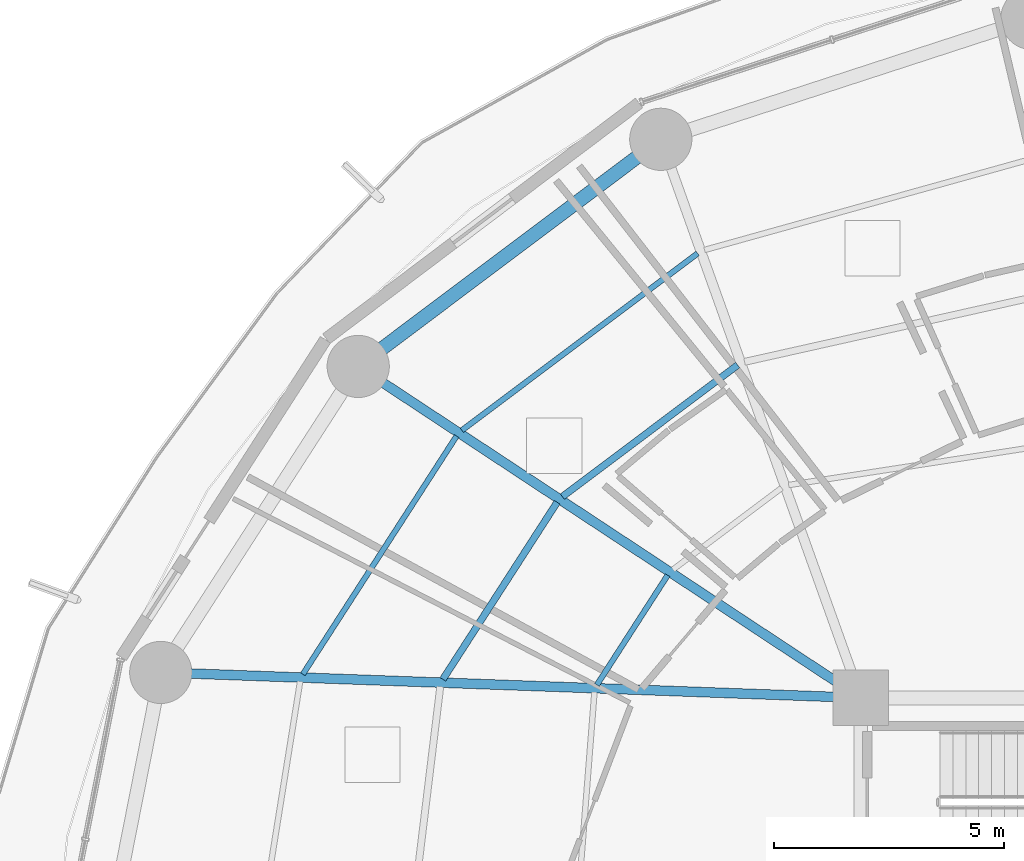
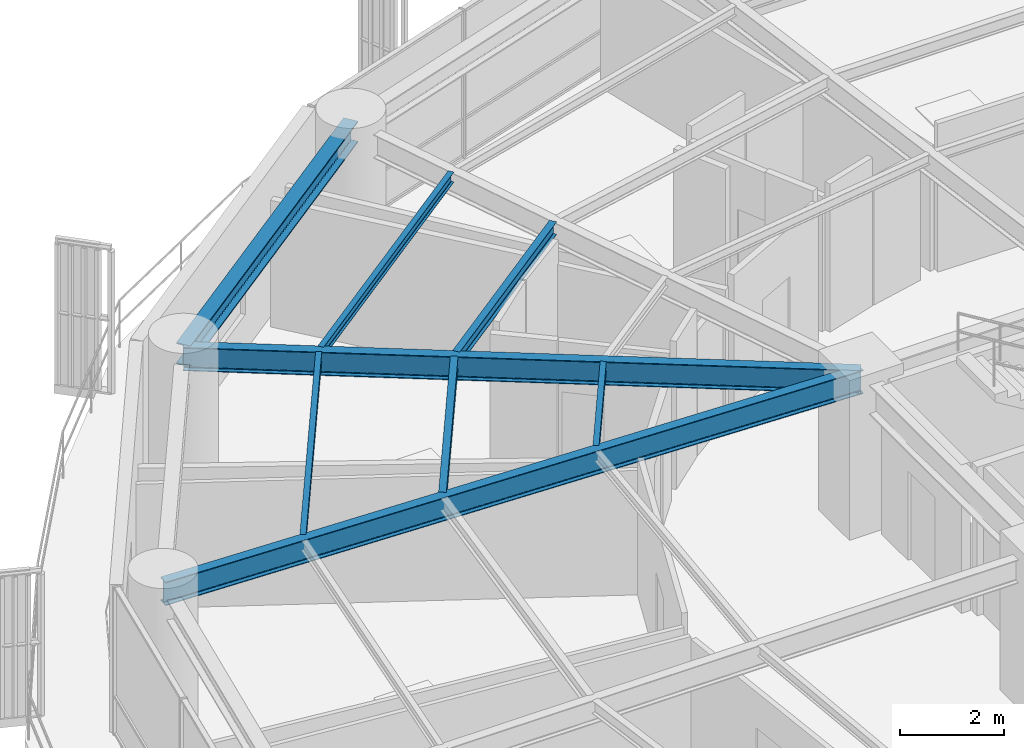
# One storey, part 19 of 36: 8 beams.
"""IFC4 building model written with IfcOpenShell, lengths in metres."""

from ifc_helpers import new_model, si_unit, direction, frame, origin, origin_2d, place, context, subcontext, project, spatial, i_section, extrude, material, material_profile, profile_set, type_object, element, save


model = new_model("IFC4")

# Units and contexts
model_context = context("Model", 3, precision=1e-05, world=origin(), true_north=direction((0.0, 1.0)))
body_context = subcontext(model_context, "Body", "Model", "MODEL_VIEW")
ifc_project = project(units=[si_unit("LENGTHUNIT", "METRE"), si_unit("AREAUNIT", "SQUARE_METRE"), si_unit("VOLUMEUNIT", "CUBIC_METRE"), si_unit("PLANEANGLEUNIT", "RADIAN"), si_unit("MASSUNIT", "GRAM", prefix="KILO")], contexts=[model_context])

# Site, building, storey
site_placement = place(None, origin())
site = spatial("IfcSite", under=ifc_project, at=site_placement, CompositionType="ELEMENT")
building_placement = place(site_placement, origin())
building = spatial("IfcBuilding", under=site, at=building_placement, Name="Kelanora Arch Commons", CompositionType="ELEMENT")
storey_placement = place(building_placement, frame((0.0, 0.0, 102.60009765625)))
storey = spatial("IfcBuildingStorey", under=building, at=storey_placement, Name="L26", CompositionType="ELEMENT", Elevation=102.60009765625)

# Beams
ifc_material = material(Name="Steel S355", Category="steel")
ifc_material_profile_1 = material_profile(ifc_material, i_section(OverallWidth=0.14990234375, OverallDepth=0.300048828125, WebThickness=0.007080078125, FlangeThickness=0.0107421875, FilletRadius=0.014892578125, at=origin_2d()), Name="IPE300")
ifc_profile_set_1 = profile_set([ifc_material_profile_1], Name="Steel S355")
beam_type_1 = type_object("IfcBeamType", Name="BM-JST-01", PredefinedType="JOIST", material=ifc_profile_set_1)
beam_1_placement = place(storey_placement, frame((63.327880859375, 72.22216796875, 3.33984375), z_axis=(-0.79971039107, -0.600385951214, 0.0), x_axis=(0.600385951214, -0.79971039107, 0.0)))
element("IfcBeam", 1, at=beam_1_placement, inside=storey, type_object=beam_type_1, Name="Secondary Chord Joist BJB-12 L26", PredefinedType="JOIST", context=body_context, shape_type="SweptSolid", body=[
    extrude(i_section(OverallWidth=0.14990234375, OverallDepth=0.300048828125, WebThickness=0.007080078125, FlangeThickness=0.0107421875, FilletRadius=0.014892578125, at=origin_2d()), origin(), (0.0, 0.0, 1.0), 4.756103515625),
])
beam_2_placement = place(storey_placement, frame((59.410400390625, 69.244384765625, 3.33984375), z_axis=(-0.542230243286, -0.840229946661, 0.0), x_axis=(0.840229946661, -0.542230243286, 0.0)))
element("IfcBeam", 2, at=beam_2_placement, inside=storey, type_object=beam_type_1, Name="Secondary Chord Joist BJB-14 L26", PredefinedType="JOIST", context=body_context, shape_type="SweptSolid", body=[
    extrude(i_section(OverallWidth=0.14990234375, OverallDepth=0.300048828125, WebThickness=0.007080078125, FlangeThickness=0.0107421875, FilletRadius=0.014892578125, at=origin_2d()), origin(), (0.0, 0.0, 1.0), 4.572265625),
])
ifc_material_profile_2 = material_profile(ifc_material, i_section(OverallWidth=0.1201171875, OverallDepth=0.239990234375, WebThickness=0.006103515625, FlangeThickness=0.009765625, FilletRadius=0.014892578125, at=origin_2d()), Name="IPE240")
ifc_profile_set_2 = profile_set([ifc_material_profile_2], Name="Steel S355")
beam_type_2 = type_object("IfcBeamType", Name="BM-JST-02", PredefinedType="JOIST", material=ifc_profile_set_2)
beam_3_placement = place(storey_placement, frame((62.4599609375, 74.646484375, 3.369873046875), z_axis=(-0.799734335646, -0.600354055861, 0.0), x_axis=(0.600354055861, -0.799734335646, 0.0)))
element("IfcBeam", 3, at=beam_3_placement, inside=storey, type_object=beam_type_2, Name="Secondary Chord Joist BJC-12 L26", PredefinedType="JOIST", context=body_context, shape_type="SweptSolid", body=[
    extrude(i_section(OverallWidth=0.1201171875, OverallDepth=0.239990234375, WebThickness=0.006103515625, FlangeThickness=0.009765625, FilletRadius=0.014892578125, at=origin_2d()), origin(), (0.0, 0.0, 1.0), 6.39794921875),
])
beam_4_placement = place(storey_placement, frame((61.8095703125, 67.661865234375, 3.369873046875), z_axis=(-0.542211255502, -0.840242199849, 0.0), x_axis=(0.840242199849, -0.542211255502, 0.0)))
element("IfcBeam", 4, at=beam_4_placement, inside=storey, type_object=beam_type_2, Name="Secondary Chord Joist BJA-14 L26", PredefinedType="JOIST", context=body_context, shape_type="SweptSolid", body=[
    extrude(i_section(OverallWidth=0.1201171875, OverallDepth=0.239990234375, WebThickness=0.006103515625, FlangeThickness=0.009765625, FilletRadius=0.014892578125, at=origin_2d()), origin(), (0.0, 0.0, 1.0), 2.83349609375),
])
beam_5_placement = place(storey_placement, frame((57.22900390625, 70.682861328125, 3.369873046875), z_axis=(-0.542212726273, -0.840241250754, 0.0), x_axis=(0.840241250754, -0.542212726273, 0.0)))
element("IfcBeam", 5, at=beam_5_placement, inside=storey, type_object=beam_type_2, Name="Secondary Chord Joist BJC-14 L26", PredefinedType="JOIST", context=body_context, shape_type="SweptSolid", body=[
    extrude(i_section(OverallWidth=0.1201171875, OverallDepth=0.239990234375, WebThickness=0.006103515625, FlangeThickness=0.009765625, FilletRadius=0.014892578125, at=origin_2d()), origin(), (0.0, 0.0, 1.0), 6.15283203125),
])
ifc_material_profile_3 = material_profile(ifc_material, i_section(OverallWidth=0.2099609375, OverallDepth=0.550048828125, WebThickness=0.010986328125, FlangeThickness=0.01708984375, FilletRadius=0.02392578125, at=origin_2d()), Name="IPE550")
ifc_profile_set_3 = profile_set([ifc_material_profile_3], Name="Steel S355")
beam_type_3 = type_object("IfcBeamType", Name="BM-RAD-Z2", PredefinedType="BEAM", material=ifc_profile_set_3)
beam_6_placement = place(storey_placement, frame((66.0, 65.0, 3.21484375), z_axis=(-0.834788577908, 0.550570640512, 0.0), x_axis=(-0.550570640512, -0.834788577908, 0.0)))
element("IfcBeam", 6, at=beam_6_placement, inside=storey, type_object=beam_type_3, Name="Radial Floor Girder BR-14 L26", PredefinedType="BEAM", context=body_context, shape_type="SweptSolid", body=[
    extrude(i_section(OverallWidth=0.2099609375, OverallDepth=0.550048828125, WebThickness=0.010986328125, FlangeThickness=0.01708984375, FilletRadius=0.02392578125, at=origin_2d()), origin(), (0.0, 0.0, 1.0), 13.064453125),
])
beam_7_placement = place(storey_placement, frame((66.0, 65.0, 3.21484375), z_axis=(-0.999341087625, 0.036295875581, 0.0), x_axis=(-0.036295875581, -0.999341087625, 0.0)))
element("IfcBeam", 7, at=beam_7_placement, inside=storey, type_object=beam_type_3, Name="Radial Floor Girder BR-16 L26", PredefinedType="BEAM", context=body_context, shape_type="SweptSolid", body=[
    extrude(i_section(OverallWidth=0.2099609375, OverallDepth=0.550048828125, WebThickness=0.010986328125, FlangeThickness=0.01708984375, FilletRadius=0.02392578125, at=origin_2d()), origin(), (0.0, 0.0, 1.0), 15.20166015625),
])
ifc_material_profile_4 = material_profile(ifc_material, i_section(OverallWidth=0.300048828125, OverallDepth=0.5, WebThickness=0.014404296875, FlangeThickness=0.028076171875, FilletRadius=0.027099609375, at=origin_2d()), Name="HEB500")
ifc_profile_set_4 = profile_set([ifc_material_profile_4], Name="Steel S355")
beam_type_4 = type_object("IfcBeamType", Name="BM-SPN-Z2", PredefinedType="SPANDREL", material=ifc_profile_set_4)
beam_8_placement = place(storey_placement, frame((61.659912109375, 77.121826171875, 3.239990234375), z_axis=(-0.799735861602, -0.600352023123, 0.0), x_axis=(0.600352023123, -0.799735861602, 0.0)))
element("IfcBeam", 8, at=beam_8_placement, inside=storey, type_object=beam_type_4, Name="Perimeter Spandrel Beam BS-12 L26", PredefinedType="SPANDREL", context=body_context, shape_type="SweptSolid", body=[
    extrude(i_section(OverallWidth=0.300048828125, OverallDepth=0.5, WebThickness=0.014404296875, FlangeThickness=0.028076171875, FilletRadius=0.027099609375, at=origin_2d()), origin(), (0.0, 0.0, 1.0), 8.210205078125),
])

save(model, "model.ifc")
